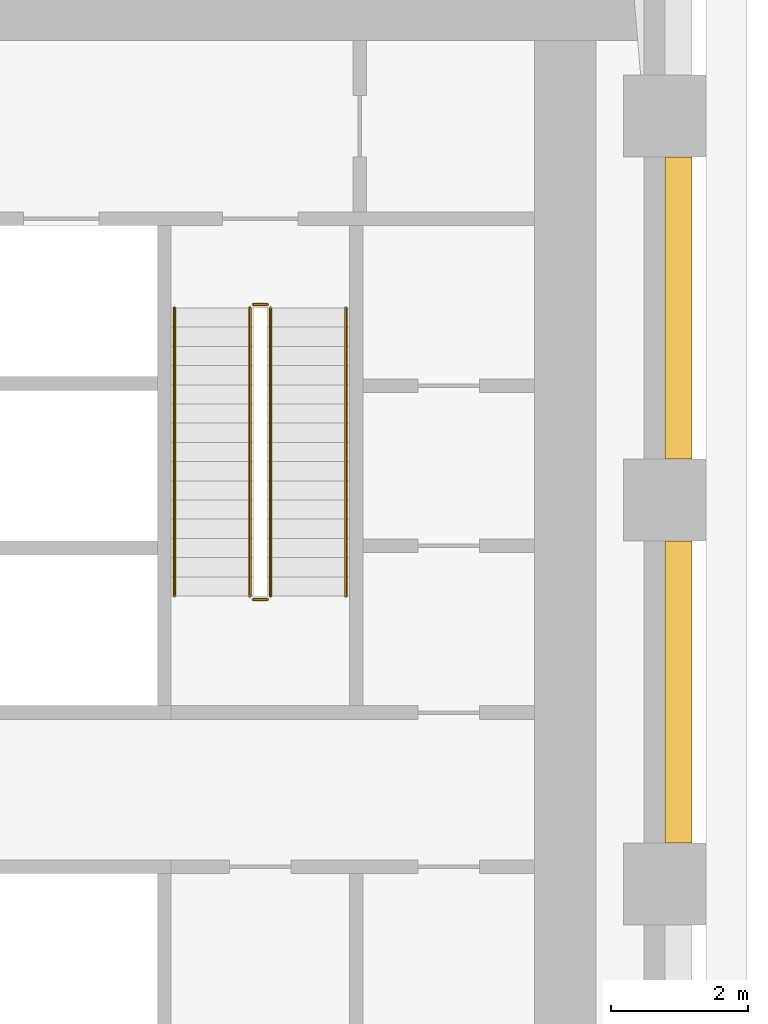
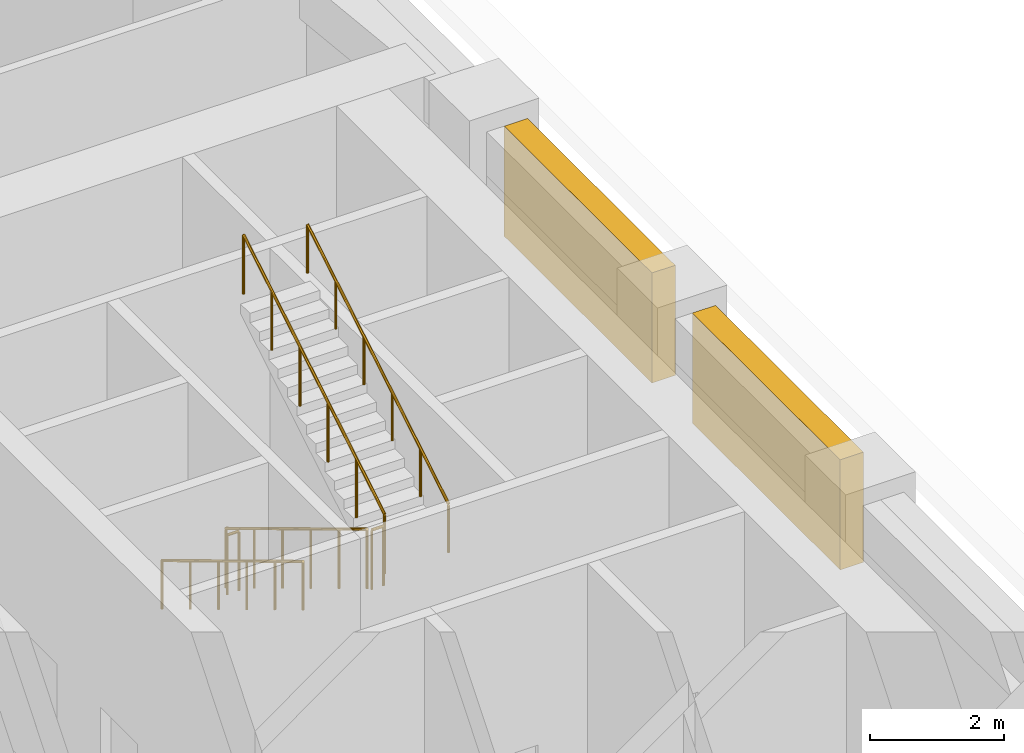
# One storey, part 13 of 14: 6 railings, 2 coverings.
"""IFC4 building model written with IfcOpenShell, lengths in metres."""

from ifc_helpers import new_model, si_unit, direction, frame, origin, origin_2d, place, context, subcontext, project, spatial, rectangle, circle, extrude, material, type_object, element, save


model = new_model("IFC4")

# Units and contexts
model_context = context("Model", 3, precision=1e-05, world=origin(), true_north=direction((0.0, 1.0)))
body_context = subcontext(model_context, "Body", "Model", "MODEL_VIEW")
ifc_project = project(units=[si_unit("LENGTHUNIT", "METRE"), si_unit("AREAUNIT", "SQUARE_METRE"), si_unit("VOLUMEUNIT", "CUBIC_METRE"), si_unit("PLANEANGLEUNIT", "RADIAN"), si_unit("MASSUNIT", "GRAM", prefix="KILO")], contexts=[model_context])

# Site, building, storey
site_placement = place(None, origin())
site = spatial("IfcSite", under=ifc_project, at=site_placement, CompositionType="ELEMENT")
building_placement = place(site_placement, origin())
building = spatial("IfcBuilding", under=site, at=building_placement, Name="Kiln Ring Residences", CompositionType="ELEMENT")
storey_placement = place(building_placement, frame((0.0, 0.0, 130.699951171875)))
storey = spatial("IfcBuildingStorey", under=building, at=storey_placement, Name="L33", CompositionType="ELEMENT", Elevation=130.699951171875)

# Railings
ifc_material_1 = material(Name="Stainless steel", Category="steel")
railing_type_1 = type_object("IfcRailingType", Name="CORE-STAIR-GUARD", PredefinedType="GUARDRAIL", material=ifc_material_1)
railing_1_placement = place(storey_placement, frame((21.949951171875, 8.39990234375, 0.168701171875)))
element("IfcRailing", 1, at=railing_1_placement, inside=storey, type_object=railing_type_1, Name="L33 E-STN stair guard 1", PredefinedType="GUARDRAIL", context=body_context, shape_type="SweptSolid", body=[
    extrude(circle(Radius=0.02392578125, at=origin_2d()), frame((0.0, 0.0, 1.076171875), z_axis=(0.0, -0.856476492594, 0.516186030065), x_axis=(1.0, 0.0, 0.0)), (0.0, 0.0, 1.0), 4.90380859375),
    extrude(circle(Radius=0.02099609375, at=origin_2d()), origin(), (0.0, 0.0, 1.0), 1.052001953125),
    extrude(circle(Radius=0.02099609375, at=origin_2d()), frame((0.0, -0.840087890625, 0.50634765625)), (0.0, 0.0, 1.0), 1.052001953125),
    extrude(circle(Radius=0.02099609375, at=origin_2d()), frame((0.0, -1.679931640625, 1.012451171875)), (0.0, 0.0, 1.0), 1.052001953125),
    extrude(circle(Radius=0.02099609375, at=origin_2d()), frame((0.0, -2.52001953125, 1.518798828125)), (0.0, 0.0, 1.0), 1.052001953125),
    extrude(circle(Radius=0.02099609375, at=origin_2d()), frame((0.0, -3.35986328125, 2.02490234375)), (0.0, 0.0, 1.0), 1.052001953125),
    extrude(circle(Radius=0.02099609375, at=origin_2d()), frame((0.0, -4.199951171875, 2.53125)), (0.0, 0.0, 1.0), 1.052001953125),
])
railing_2_placement = place(storey_placement, frame((22.0, 4.14990234375, 2.699951171875)))
element("IfcRailing", 2, at=railing_2_placement, inside=storey, type_object=railing_type_1, Name="L33 E-STN stair guard 2", PredefinedType="GUARDRAIL", context=body_context, shape_type="SweptSolid", body=[
    extrude(circle(Radius=0.02392578125, at=origin_2d()), frame((0.0, 0.0, 1.076171875), z_axis=(1.0, 0.0, 0.0), x_axis=(0.0, 1.0, 0.0)), (0.0, 0.0, 1.0), 0.199951171875),
    extrude(circle(Radius=0.02099609375, at=origin_2d()), origin(), (0.0, 0.0, 1.0), 1.052001953125),
    extrude(circle(Radius=0.02099609375, at=origin_2d()), frame((0.199951171875, 0.0, 0.0)), (0.0, 0.0, 1.0), 1.052001953125),
])
railing_3_placement = place(storey_placement, frame((22.25, 4.199951171875, 2.868896484375)))
element("IfcRailing", 3, at=railing_3_placement, inside=storey, type_object=railing_type_1, Name="L33 E-STN stair guard 3", PredefinedType="GUARDRAIL", context=body_context, shape_type="SweptSolid", body=[
    extrude(circle(Radius=0.02392578125, at=origin_2d()), frame((0.0, 0.0, 1.076171875), z_axis=(0.0, 0.856476492594, 0.516186030065), x_axis=(-1.0, 0.0, 0.0)), (0.0, 0.0, 1.0), 4.90380859375),
    extrude(circle(Radius=0.02099609375, at=origin_2d()), origin(), (0.0, 0.0, 1.0), 1.052001953125),
    extrude(circle(Radius=0.02099609375, at=origin_2d()), frame((0.0, 0.840087890625, 0.50634765625)), (0.0, 0.0, 1.0), 1.052001953125),
    extrude(circle(Radius=0.02099609375, at=origin_2d()), frame((0.0, 1.679931640625, 1.012451171875)), (0.0, 0.0, 1.0), 1.052001953125),
    extrude(circle(Radius=0.02099609375, at=origin_2d()), frame((0.0, 2.52001953125, 1.518798828125)), (0.0, 0.0, 1.0), 1.052001953125),
    extrude(circle(Radius=0.02099609375, at=origin_2d()), frame((0.0, 3.35986328125, 2.02490234375)), (0.0, 0.0, 1.0), 1.052001953125),
    extrude(circle(Radius=0.02099609375, at=origin_2d()), frame((0.0, 4.199951171875, 2.53125)), (0.0, 0.0, 1.0), 1.052001953125),
])
railing_4_placement = place(storey_placement, frame((22.0, 8.449951171875, 0.0)))
element("IfcRailing", 4, at=railing_4_placement, inside=storey, type_object=railing_type_1, Name="L33 E-STN stair guard 4", PredefinedType="GUARDRAIL", context=body_context, shape_type="SweptSolid", body=[
    extrude(circle(Radius=0.02392578125, at=origin_2d()), frame((0.0, 0.0, 1.076171875), z_axis=(1.0, 0.0, 0.0), x_axis=(0.0, 1.0, 0.0)), (0.0, 0.0, 1.0), 0.199951171875),
    extrude(circle(Radius=0.02099609375, at=origin_2d()), origin(), (0.0, 0.0, 1.0), 1.052001953125),
    extrude(circle(Radius=0.02099609375, at=origin_2d()), frame((0.199951171875, 0.0, 0.0)), (0.0, 0.0, 1.0), 1.052001953125),
])
ifc_material_2 = material(Name="Stainless steel", Category="steel")
railing_type_2 = type_object("IfcRailingType", Name="CORE-STAIR-HANDRAIL", PredefinedType="HANDRAIL", material=ifc_material_2)
railing_5_placement = place(storey_placement, frame((20.85009765625, 8.39990234375, 0.168701171875)))
element("IfcRailing", 5, at=railing_5_placement, inside=storey, type_object=railing_type_2, Name="L33 E-STN stair handrail 1", PredefinedType="HANDRAIL", context=body_context, shape_type="SweptSolid", body=[
    extrude(circle(Radius=0.02392578125, at=origin_2d()), frame((0.0, 0.0, 0.8759765625), z_axis=(0.0, -0.856476492594, 0.516186030065), x_axis=(1.0, 0.0, 0.0)), (0.0, 0.0, 1.0), 4.90380859375),
    extrude(circle(Radius=0.02099609375, at=origin_2d()), origin(), (0.0, 0.0, 1.0), 0.851806640625),
    extrude(circle(Radius=0.02099609375, at=origin_2d()), frame((0.0, -0.840087890625, 0.50634765625)), (0.0, 0.0, 1.0), 0.851806640625),
    extrude(circle(Radius=0.02099609375, at=origin_2d()), frame((0.0, -1.679931640625, 1.012451171875)), (0.0, 0.0, 1.0), 0.851806640625),
    extrude(circle(Radius=0.02099609375, at=origin_2d()), frame((0.0, -2.52001953125, 1.518798828125)), (0.0, 0.0, 1.0), 0.851806640625),
    extrude(circle(Radius=0.02099609375, at=origin_2d()), frame((0.0, -3.35986328125, 2.02490234375)), (0.0, 0.0, 1.0), 0.851806640625),
    extrude(circle(Radius=0.02099609375, at=origin_2d()), frame((0.0, -4.199951171875, 2.53125)), (0.0, 0.0, 1.0), 0.851806640625),
])
railing_6_placement = place(storey_placement, frame((23.35009765625, 4.199951171875, 2.868896484375)))
element("IfcRailing", 6, at=railing_6_placement, inside=storey, type_object=railing_type_2, Name="L33 E-STN stair handrail 2", PredefinedType="HANDRAIL", context=body_context, shape_type="SweptSolid", body=[
    extrude(circle(Radius=0.02392578125, at=origin_2d()), frame((0.0, 0.0, 0.8759765625), z_axis=(0.0, 0.856476492594, 0.516186030065), x_axis=(-1.0, 0.0, 0.0)), (0.0, 0.0, 1.0), 4.90380859375),
    extrude(circle(Radius=0.02099609375, at=origin_2d()), origin(), (0.0, 0.0, 1.0), 0.851806640625),
    extrude(circle(Radius=0.02099609375, at=origin_2d()), frame((0.0, 0.840087890625, 0.50634765625)), (0.0, 0.0, 1.0), 0.851806640625),
    extrude(circle(Radius=0.02099609375, at=origin_2d()), frame((0.0, 1.679931640625, 1.012451171875)), (0.0, 0.0, 1.0), 0.851806640625),
    extrude(circle(Radius=0.02099609375, at=origin_2d()), frame((0.0, 2.52001953125, 1.518798828125)), (0.0, 0.0, 1.0), 0.851806640625),
    extrude(circle(Radius=0.02099609375, at=origin_2d()), frame((0.0, 3.35986328125, 2.02490234375)), (0.0, 0.0, 1.0), 0.851806640625),
    extrude(circle(Radius=0.02099609375, at=origin_2d()), frame((0.0, 4.199951171875, 2.53125)), (0.0, 0.0, 1.0), 0.851806640625),
])

# Coverings
ifc_material_3 = material(Name="Concrete C35/45, exposed aggregate finish", Category="concrete")
covering_type = type_object("IfcCoveringType", Name="TIE BAND 2000 x 400", PredefinedType="CLADDING", material=ifc_material_3)
for number, where, z_axis, x_axis, name in (
    (7, (28.199951171875, 2.800048828125, 3.10009765625), (0.0, 0.0, 1.0), (0.0, 1.0, 0.0), "TIE BAND L33"),
    (8, (28.199951171875, 8.39990234375, 3.10009765625), (0.0, 0.0, 1.0), (0.0, 1.0, 0.0), "TIE BAND L33"),
):
    element("IfcCovering", number, at=place(storey_placement, frame(where, z_axis=z_axis, x_axis=x_axis)), inside=storey, type_object=covering_type, Name=name, PredefinedType="CLADDING", context=body_context, shape_type="SweptSolid", body=[
        extrude(rectangle(XDim=4.39990234375, YDim=0.39990234375, at=origin_2d()), origin(), (0.0, 0.0, 1.0), 2.0),
    ])

save(model, "model.ifc")
